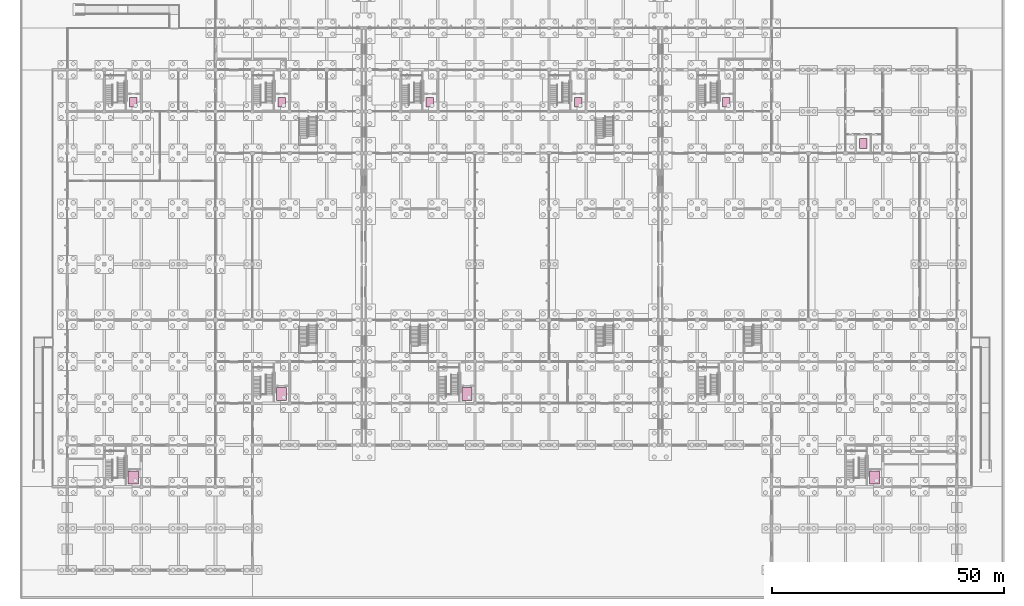
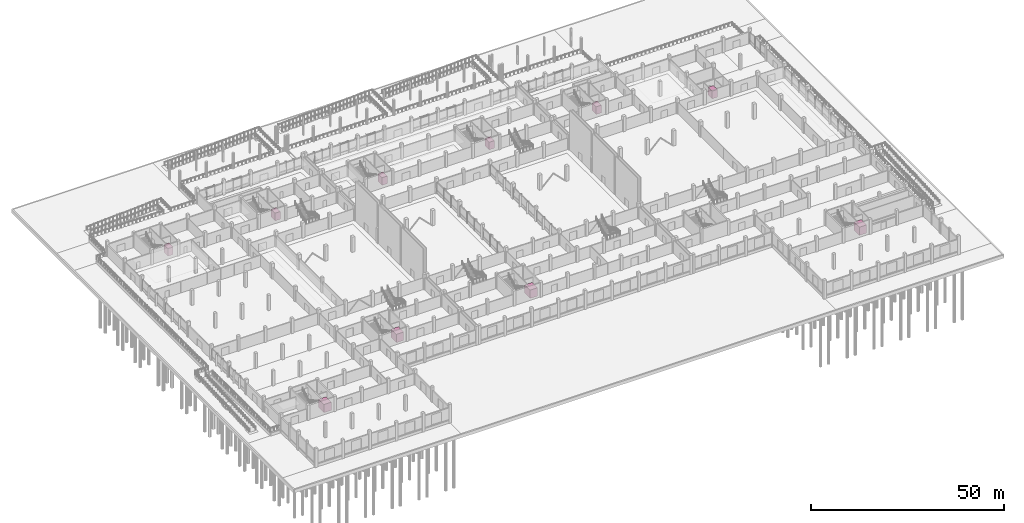
# One storey, part 72 of 72: 10 transport elements.
"""IFC4 building model written with IfcOpenShell, lengths in metres."""

from ifc_helpers import new_model, si_unit, direction, frame, origin, origin_2d, place, context, subcontext, project, spatial, rectangle, extrude, material, type_object, element, save


model = new_model("IFC4")

# Units and contexts
model_context = context("Model", 3, precision=1e-05, world=origin(), true_north=direction((0.0, 1.0)))
body_context = subcontext(model_context, "Body", "Model", "MODEL_VIEW")
ifc_project = project(units=[si_unit("LENGTHUNIT", "METRE"), si_unit("AREAUNIT", "SQUARE_METRE"), si_unit("VOLUMEUNIT", "CUBIC_METRE"), si_unit("PLANEANGLEUNIT", "RADIAN"), si_unit("MASSUNIT", "GRAM", prefix="KILO"), si_unit("THERMODYNAMICTEMPERATUREUNIT", "KELVIN"), si_unit("POWERUNIT", "WATT")], contexts=[model_context])

# Site, building, storey
site_placement = place(None, origin())
site = spatial("IfcSite", under=ifc_project, at=site_placement, CompositionType="ELEMENT")
building_placement = place(site_placement, origin())
building = spatial("IfcBuilding", under=site, at=building_placement, Name="Kronsvod Quay Wholesale Market", CompositionType="ELEMENT")
storey_placement = place(building_placement, origin())
storey = spatial("IfcBuildingStorey", under=building, at=storey_placement, Name="L00", CompositionType="ELEMENT", Elevation=0.0)

# Transport elements
ifc_material_1 = material(Name="Stainless steel", Category="steel")
transport_element_type_1 = type_object("IfcTransportElementType", Name="Lift_Goods2200x2800", PredefinedType="ELEVATOR", material=ifc_material_1)
for number, where, z_axis, x_axis, name in (
    (1, (14.260009765625, 20.0, 0.0), (0.0, 0.0, 1.0), (1.0, 0.0, 0.0), "Goods and Stretcher Lift LFT-G01"),
    (2, (46.260009765625, 38.0, 0.0), (0.0, 0.0, 1.0), (1.0, 0.0, 0.0), "Goods and Stretcher Lift LFT-G02"),
    (3, (86.260009765625, 38.0, 0.0), (0.0, 0.0, 1.0), (1.0, 0.0, 0.0), "Goods and Stretcher Lift LFT-G03"),
    (4, (174.260009765625, 20.0, 0.0), (0.0, 0.0, 1.0), (1.0, 0.0, 0.0), "Goods and Stretcher Lift LFT-G04"),
):
    element("IfcTransportElement", number, at=place(storey_placement, frame(where, z_axis=z_axis, x_axis=x_axis)), inside=storey, type_object=transport_element_type_1, Name=name, PredefinedType="ELEVATOR", context=body_context, shape_type="SweptSolid", body=[
        extrude(rectangle(XDim=2.199951171875, YDim=2.800048828125, at=origin_2d()), origin(), (0.0, 0.0, 1.0), 2.60009765625),
    ])
ifc_material_2 = material(Name="Stainless steel", Category="steel")
transport_element_type_2 = type_object("IfcTransportElementType", Name="Lift_Passenger1600x2100", PredefinedType="ELEVATOR", material=ifc_material_2)
for number, where, z_axis, x_axis, name in (
    (5, (14.260009765625, 101.0, 0.0), (0.0, 0.0, 1.0), (1.0, 0.0, 0.0), "Accessible Passenger Lift LFT-P01"),
    (6, (46.260009765625, 101.0, 0.0), (0.0, 0.0, 1.0), (1.0, 0.0, 0.0), "Accessible Passenger Lift LFT-P02"),
    (7, (78.260009765625, 101.0, 0.0), (0.0, 0.0, 1.0), (1.0, 0.0, 0.0), "Accessible Passenger Lift LFT-P03"),
    (8, (110.260009765625, 101.0, 0.0), (0.0, 0.0, 1.0), (1.0, 0.0, 0.0), "Accessible Passenger Lift LFT-P04"),
    (9, (142.260009765625, 101.0, 0.0), (0.0, 0.0, 1.0), (1.0, 0.0, 0.0), "Accessible Passenger Lift LFT-P05"),
    (10, (171.800048828125, 92.10009765625, 0.0), (0.0, 0.0, 1.0), (1.0, 0.0, 0.0), "Accessible Passenger Lift LFT-P06"),
):
    element("IfcTransportElement", number, at=place(storey_placement, frame(where, z_axis=z_axis, x_axis=x_axis)), inside=storey, type_object=transport_element_type_2, Name=name, PredefinedType="ELEVATOR", context=body_context, shape_type="SweptSolid", body=[
        extrude(rectangle(XDim=1.60009765625, YDim=2.10009765625, at=origin_2d()), origin(), (0.0, 0.0, 1.0), 2.39990234375),
    ])

save(model, "model.ifc")
